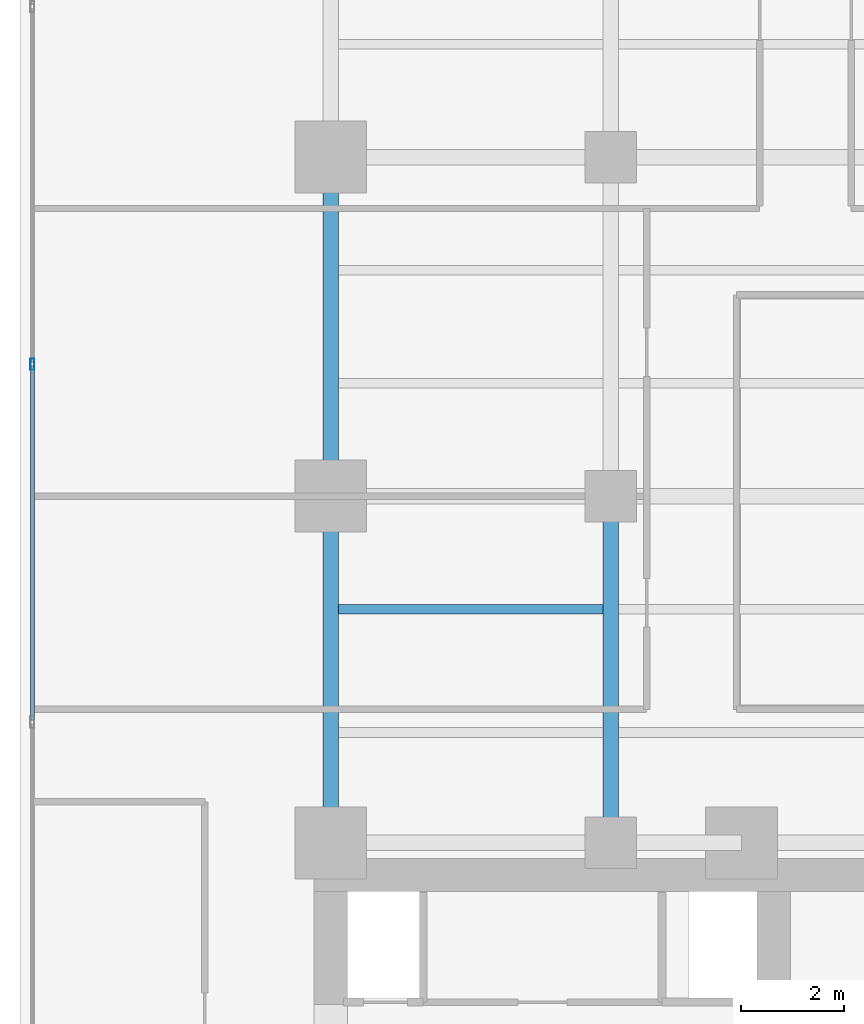
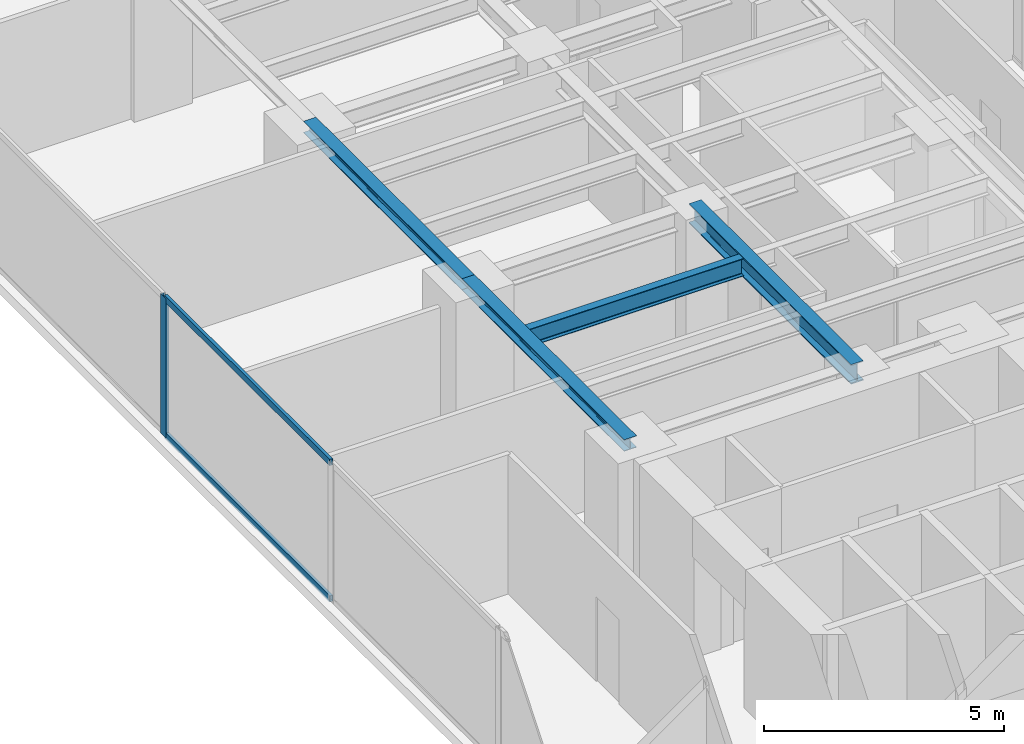
# One storey, part 7 of 26: 4 beams, 3 members, 1 element without a shape of its own.
"""IFC4 building model written with IfcOpenShell, lengths in metres."""

from ifc_helpers import new_model, si_unit, direction, frame, origin, origin_with_axes, origin_2d, place, context, subcontext, project, spatial, hollow_rectangle, i_section, extrude, source, transform, mapped, material, layer, layer_set, material_profile, profile_set, type_object, element, aggregate, save


model = new_model("IFC4")

# Units and contexts
model_context = context("Model", 3, precision=1e-05, world=origin(), true_north=direction((0.0, 1.0)))
body_context = subcontext(model_context, "Body", "Model", "MODEL_VIEW")
ifc_project = project(units=[si_unit("LENGTHUNIT", "METRE"), si_unit("AREAUNIT", "SQUARE_METRE"), si_unit("VOLUMEUNIT", "CUBIC_METRE"), si_unit("PLANEANGLEUNIT", "RADIAN"), si_unit("MASSUNIT", "GRAM", prefix="KILO")], contexts=[model_context])

# Site, building, storey
site_placement = place(None, origin())
site = spatial("IfcSite", under=ifc_project, at=site_placement, CompositionType="ELEMENT")
building_placement = place(site_placement, origin())
building = spatial("IfcBuilding", under=site, at=building_placement, Name="Kolvaren Waterfront Exchange", CompositionType="ELEMENT")
storey_placement = place(building_placement, frame((0.0, 0.0, 122.10009765625)))
storey = spatial("IfcBuildingStorey", under=building, at=storey_placement, Name="L31", CompositionType="ELEMENT", Elevation=122.10009765625)

# Beams
ifc_material_1 = material(Name="Steel S355", Category="steel")
ifc_material_profile_1 = material_profile(ifc_material_1, i_section(OverallWidth=0.300048828125, OverallDepth=0.300048828125, WebThickness=0.010986328125, FlangeThickness=0.01904296875, FilletRadius=0.027099609375, at=origin_2d()), Name="HEB300")
ifc_profile_set_1 = profile_set([ifc_material_profile_1], Name="Steel S355")
beam_type_1 = type_object("IfcBeamType", Name="STR-BM-HEB300", PredefinedType="SPANDREL", material=ifc_profile_set_1)
beam_1_placement = place(storey_placement, frame((7.449951171875, 24.449951171875, 3.389892578125), z_axis=(0.0, 1.0, 0.0), x_axis=(-1.0, 0.0, 0.0)))
element("IfcBeam", 1, at=beam_1_placement, inside=storey, type_object=beam_type_1, Name="L31 north-arm edge beam 1", PredefinedType="SPANDREL", context=body_context, shape_type="SweptSolid", body=[
    extrude(i_section(OverallWidth=0.300048828125, OverallDepth=0.300048828125, WebThickness=0.010986328125, FlangeThickness=0.01904296875, FilletRadius=0.027099609375, at=origin_2d()), origin(), (0.0, 0.0, 1.0), 6.75),
])
beam_2_placement = place(storey_placement, frame((7.449951171875, 31.199951171875, 3.389892578125), z_axis=(0.0, 1.0, 0.0), x_axis=(-1.0, 0.0, 0.0)))
element("IfcBeam", 2, at=beam_2_placement, inside=storey, type_object=beam_type_1, Name="L31 north-arm edge beam 2", PredefinedType="SPANDREL", context=body_context, shape_type="SweptSolid", body=[
    extrude(i_section(OverallWidth=0.300048828125, OverallDepth=0.300048828125, WebThickness=0.010986328125, FlangeThickness=0.01904296875, FilletRadius=0.027099609375, at=origin_2d()), origin(), (0.0, 0.0, 1.0), 6.60009765625),
])
ifc_material_profile_2 = material_profile(ifc_material_1, i_section(OverallWidth=0.300048828125, OverallDepth=0.5, WebThickness=0.014404296875, FlangeThickness=0.028076171875, FilletRadius=0.027099609375, at=origin_2d()), Name="HEB500")
ifc_profile_set_2 = profile_set([ifc_material_profile_2], Name="Steel S355")
beam_type_2 = type_object("IfcBeamType", Name="STR-BM-HEB500", PredefinedType="BEAM", material=ifc_profile_set_2)
beam_3_placement = place(storey_placement, frame((12.89990234375, 24.449951171875, 3.289794921875), z_axis=(0.0, 1.0, 0.0), x_axis=(-1.0, 0.0, 0.0)))
element("IfcBeam", 3, at=beam_3_placement, inside=storey, type_object=beam_type_2, Name="L31 north-arm edge beam 1", PredefinedType="BEAM", context=body_context, shape_type="SweptSolid", body=[
    extrude(i_section(OverallWidth=0.300048828125, OverallDepth=0.5, WebThickness=0.014404296875, FlangeThickness=0.028076171875, FilletRadius=0.027099609375, at=origin_2d()), origin(), (0.0, 0.0, 1.0), 6.75),
])
ifc_material_profile_3 = material_profile(ifc_material_1, i_section(OverallWidth=0.18994140625, OverallDepth=0.449951171875, WebThickness=0.009521484375, FlangeThickness=0.0146484375, FilletRadius=0.02099609375, at=origin_2d()), Name="IPE450")
ifc_profile_set_3 = profile_set([ifc_material_profile_3], Name="Steel S355")
beam_type_3 = type_object("IfcBeamType", Name="STR-BM-IPE450", PredefinedType="JOIST", material=ifc_profile_set_3)
beam_4_placement = place(storey_placement, frame((7.60205078125, 29.0, 3.31494140625), z_axis=(1.0, 0.0, 0.0), x_axis=(0.0, 1.0, 0.0)))
element("IfcBeam", 4, at=beam_4_placement, inside=storey, type_object=beam_type_3, Name="L31 north-arm composite joist 2A", PredefinedType="JOIST", context=body_context, shape_type="SweptSolid", body=[
    extrude(i_section(OverallWidth=0.18994140625, OverallDepth=0.449951171875, WebThickness=0.009521484375, FlangeThickness=0.0146484375, FilletRadius=0.02099609375, at=origin_2d()), origin(), (0.0, 0.0, 1.0), 5.14599609375),
])

# Curtain wall, members
ifc_material_2 = material(Name="Anodised aluminium 6063-T6", Category="aluminium")
ifc_layer = layer(ifc_material_2, 0.219970703125, Name="Anodised aluminium 6063-T6")
ifc_layer_set = layer_set([ifc_layer], Name="Anodised aluminium 6063-T6")
curtain_wall_type = type_object("IfcCurtainWallType", Name="ARC-CW-SYS2", PredefinedType="USERDEFINED", material=ifc_layer_set)
curtain_wall_placement = place(storey_placement, origin())
curtain_wall = element("IfcCurtainWall", 5, at=curtain_wall_placement, inside=storey, type_object=curtain_wall_type, Name="L31 stick curtain wall CW2 (CW-L31-W)", ObjectType="STICK CURTAIN WALL", PredefinedType="USERDEFINED")
ifc_material_profile_4 = material_profile(ifc_material_2, hollow_rectangle(XDim=0.080078125, YDim=0.219970703125, WallThickness=0.0048828125, at=origin_2d()), Name="ALU-MUL-220x80x5")
ifc_profile_set_4 = profile_set([ifc_material_profile_4], Name="Anodised aluminium 6063-T6")
member_type_1 = type_object("IfcMemberType", Name="ARC-CWM-220", PredefinedType="MULLION", material=ifc_profile_set_4)
shared_shape_1 = source(origin_with_axes(), body_context, "Body", "SweptSolid", [
    extrude(hollow_rectangle(XDim=0.080078125, YDim=0.219970703125, WallThickness=0.0048828125, at=origin_2d()), origin(), (0.0, 0.0, 1.0), 3.539794921875),
])
member_1_placement = place(storey_placement, frame((1.639892578125, 33.7666015625, 0.0), z_axis=(0.0, 0.0, 1.0), x_axis=(-1.0, 0.0, 0.0)))
member_1 = element("IfcMember", 6, at=member_1_placement, type_object=member_type_1, Name="CW2 mullion 5", PredefinedType="MULLION", context=body_context, shape_type="MappedRepresentation", body=[
    mapped(shared_shape_1, transform((0.0, 0.0, 0.0), x_axis=(1.0, 0.0, 0.0), y_axis=(0.0, 1.0, 0.0), z_axis=(0.0, 0.0, 1.0), scale=1.0)),
])
ifc_material_profile_5 = material_profile(ifc_material_2, hollow_rectangle(XDim=0.074951171875, YDim=0.159912109375, WallThickness=0.00439453125, at=origin_2d()), Name="ALU-TRN-160x75x4.5")
ifc_profile_set_5 = profile_set([ifc_material_profile_5], Name="Anodised aluminium 6063-T6")
member_type_2 = type_object("IfcMemberType", Name="ARC-CWT-160", PredefinedType="USERDEFINED", material=ifc_profile_set_5)
shared_shape_2 = source(origin_with_axes(), body_context, "Body", "SweptSolid", [
    extrude(hollow_rectangle(XDim=0.074951171875, YDim=0.159912109375, WallThickness=0.00439453125, at=origin_2d()), origin(), (0.0, 0.0, 1.0), 6.886474609375),
])
member_2_placement = place(storey_placement, frame((1.639892578125, 26.840087890625, 0.037353515625), z_axis=(0.0, 1.0, 0.0), x_axis=(-1.0, 0.0, 0.0)))
member_2 = element("IfcMember", 7, at=member_2_placement, type_object=member_type_2, Name="CW2 transom 4.1", ObjectType="TRANSOM", PredefinedType="USERDEFINED", context=body_context, shape_type="MappedRepresentation", body=[
    mapped(shared_shape_2, transform((0.0, 0.0, 0.0), x_axis=(1.0, 0.0, 0.0), y_axis=(0.0, 1.0, 0.0), z_axis=(0.0, 0.0, 1.0), scale=1.0)),
])
member_3_placement = place(storey_placement, frame((1.639892578125, 26.840087890625, 3.50244140625), z_axis=(0.0, 1.0, 0.0), x_axis=(-1.0, 0.0, 0.0)))
member_3 = element("IfcMember", 8, at=member_3_placement, type_object=member_type_2, Name="CW2 transom 4.2", ObjectType="TRANSOM", PredefinedType="USERDEFINED", context=body_context, shape_type="MappedRepresentation", body=[
    mapped(shared_shape_2, transform((0.0, 0.0, 0.0), x_axis=(1.0, 0.0, 0.0), y_axis=(0.0, 1.0, 0.0), z_axis=(0.0, 0.0, 1.0), scale=1.0)),
])
aggregate(curtain_wall, [member_1, member_2, member_3])

save(model, "model.ifc")
